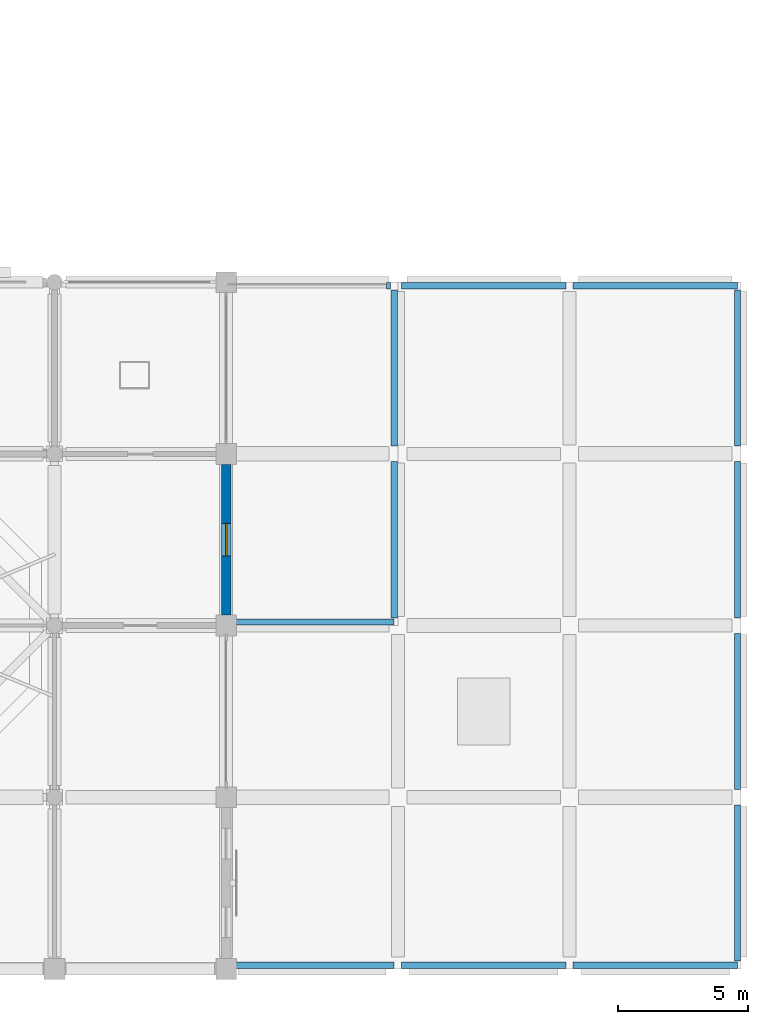
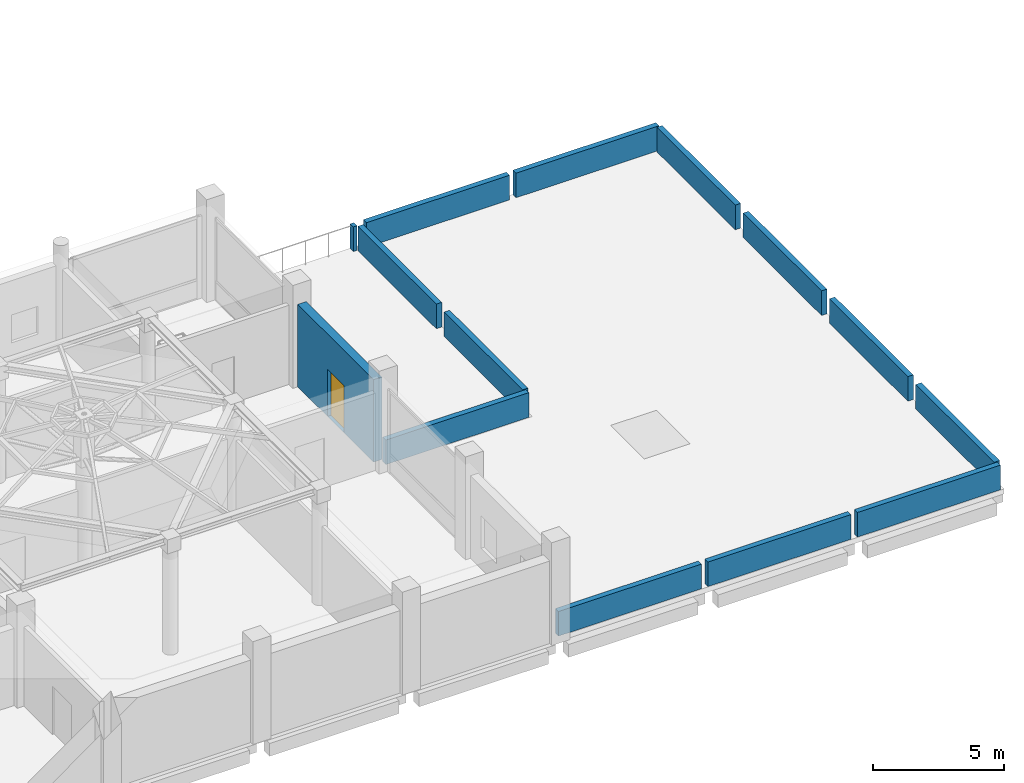
# One storey, part 22 of 34: 14 walls, 1 door, 1 opening.
"""IFC4 building model written with IfcOpenShell, lengths in metres."""

from ifc_helpers import new_model, si_unit, direction, frame, frame_2d, origin, place, context, subcontext, project, spatial, rectangle, extrude, material, layer, layer_set, type_object, element, fill, save


model = new_model("IFC4")

# Units and contexts
model_context = context("Model", 3, precision=1e-05, world=origin(), true_north=direction((0.0, 1.0)))
body_context = subcontext(model_context, "Body", "Model", "MODEL_VIEW")
ifc_project = project(units=[si_unit("LENGTHUNIT", "METRE"), si_unit("AREAUNIT", "SQUARE_METRE"), si_unit("VOLUMEUNIT", "CUBIC_METRE"), si_unit("PLANEANGLEUNIT", "RADIAN"), si_unit("MASSUNIT", "GRAM", prefix="KILO")], contexts=[model_context])

# Site, building, storey
site_placement = place(None, origin())
site = spatial("IfcSite", under=ifc_project, at=site_placement, CompositionType="ELEMENT")
building_placement = place(site_placement, origin())
building = spatial("IfcBuilding", under=site, at=building_placement, Name="Rusizi Kubbe Research Institute", CompositionType="ELEMENT")
storey_placement = place(building_placement, frame((0.0, 0.0, 5.39990234375)))
storey = spatial("IfcBuildingStorey", under=building, at=storey_placement, Name="L01", CompositionType="ELEMENT", Elevation=5.39990234375)

# Wall, opening, door
ifc_material_1 = material(Name="Volcanic Basalt Ashlar Masonry", Category="masonry")
ifc_layer_1 = layer(ifc_material_1, 0.3701171875)
ifc_layer_set_1 = layer_set([ifc_layer_1], Name="Volcanic Basalt Ashlar Masonry")
wall_type_1 = type_object("IfcWallType", Name="EW-05", PredefinedType="SOLIDWALL", material=ifc_layer_set_1)
wall_1_placement = place(storey_placement, frame((99.0, 13.60009765625, 0.0), z_axis=(0.0, 0.0, 1.0), x_axis=(0.0, 1.0, 0.0)))
wall_1 = element("IfcWall", 1, at=wall_1_placement, inside=storey, type_object=wall_type_1, Name="Terrace Access Wall L01 V15-2", PredefinedType="SOLIDWALL", context=body_context, shape_type="SweptSolid", body=[
    extrude(rectangle(XDim=5.7998046875, YDim=0.3701171875, at=frame_2d((2.89990234375, 0.0))), origin(), (0.0, 0.0, 1.0), 3.85009765625),
])
opening_placement = place(wall_1_placement, frame((2.27490234375, 0.0, 0.0)))
opening = element("IfcOpeningElement", 2, at=opening_placement, cuts=wall_1, Name="Opening D-37", PredefinedType="OPENING", context=body_context, shape_type="SweptSolid", body=[
    extrude(rectangle(XDim=1.25, YDim=2.199951171875, at=frame_2d((0.625, 1.10009765625))), frame((0.0, 0.195068359375, 0.0), z_axis=(0.0, -1.0, 0.0), x_axis=(1.0, 0.0, 0.0)), (0.0, 0.0, 1.0), 0.39013671875),
])
ifc_material_2 = material(Name="Insulated Steel and Laminated Safety Glass", Category="steel")
door_type = type_object("IfcDoorType", Name="ED-07", OperationType="NOTDEFINED", PredefinedType="DOOR", material=ifc_material_2)
door_placement = place(opening_placement, origin())
door = element("IfcDoor", 3, at=door_placement, inside=storey, type_object=door_type, Name="Roof Terrace Door L01-T02", OperationType="SINGLE_SWING_LEFT", OverallHeight=2.199951171875, OverallWidth=1.25, PredefinedType="DOOR", context=body_context, shape_type="SweptSolid", body=[
    extrude(rectangle(XDim=1.25, YDim=2.199951171875, at=frame_2d((0.625, 1.10009765625))), frame((0.0, 0.02490234375, 0.0), z_axis=(0.0, -1.0, 0.0), x_axis=(1.0, 0.0, 0.0)), (0.0, 0.0, 1.0), 0.050048828125),
])
fill(opening, door)

# Walls
ifc_material_3 = material(Name="Volcanic Basalt Ashlar Masonry", Category="masonry")
ifc_layer_2 = layer(ifc_material_3, 0.239990234375)
ifc_layer_set_2 = layer_set([ifc_layer_2], Name="Volcanic Basalt Ashlar Masonry")
wall_type_2 = type_object("IfcWallType", Name="PRP-01", PredefinedType="PARAPET", material=ifc_layer_set_2)
wall_2_placement = place(storey_placement, frame((99.139892578125, 13.340087890625, 0.0), z_axis=(0.0, 0.0, 1.0), x_axis=(1.0, 0.0, 0.0)))
element("IfcWall", 4, at=wall_2_placement, inside=storey, type_object=wall_type_2, Name="Terrace Divider Parapet Wall L01-006", PredefinedType="PARAPET", context=body_context, shape_type="SweptSolid", body=[
    extrude(rectangle(XDim=6.320068359375, YDim=0.239990234375, at=frame_2d((3.16015625, 0.0))), origin(), (0.0, 0.0, 1.0), 1.150146484375),
])
for number, where, z_axis, x_axis, name in (
    (5, (105.4599609375, 13.5, 0.0), (0.0, 0.0, 1.0), (0.0, 1.0, 0.0), "Terrace Divider Parapet Wall L01-007"),
    (6, (105.4599609375, 20.10009765625, 0.0), (0.0, 0.0, 1.0), (0.0, 1.0, 0.0), "Terrace Divider Parapet Wall L01-008"),
):
    element("IfcWall", number, at=place(storey_placement, frame(where, z_axis=z_axis, x_axis=x_axis)), inside=storey, type_object=wall_type_2, Name=name, PredefinedType="PARAPET", context=body_context, shape_type="SweptSolid", body=[
        extrude(rectangle(XDim=6.0, YDim=0.239990234375, at=frame_2d((3.0, 0.0))), origin(), (0.0, 0.0, 1.0), 1.150146484375),
    ])
wall_3_placement = place(storey_placement, frame((105.159912109375, 26.260009765625, 0.0), z_axis=(0.0, 0.0, 1.0), x_axis=(1.0, 0.0, 0.0)))
element("IfcWall", 7, at=wall_3_placement, inside=storey, type_object=wall_type_2, Name="Terrace Corner Parapet L01-009", PredefinedType="PARAPET", context=body_context, shape_type="SweptSolid", body=[
    extrude(rectangle(XDim=0.16015625, YDim=0.239990234375, at=frame_2d((0.080078125, 0.0))), origin(), (0.0, 0.0, 1.0), 1.150146484375),
])
for number, where, z_axis, x_axis, name in (
    (8, (99.139892578125, 0.139892578125, 0.0), (0.0, 0.0, 1.0), (1.0, 0.0, 0.0), "Roof Parapet Wall L01-021"),
    (9, (105.739990234375, 0.139892578125, 0.0), (0.0, 0.0, 1.0), (1.0, 0.0, 0.0), "Roof Parapet Wall L01-022"),
    (10, (105.739990234375, 26.260009765625, 0.0), (0.0, 0.0, 1.0), (1.0, 0.0, 0.0), "Roof Parapet Wall L01-023"),
):
    element("IfcWall", number, at=place(storey_placement, frame(where, z_axis=z_axis, x_axis=x_axis)), inside=storey, type_object=wall_type_2, Name=name, PredefinedType="PARAPET", context=body_context, shape_type="SweptSolid", body=[
        extrude(rectangle(XDim=6.320068359375, YDim=0.239990234375, at=frame_2d((3.16015625, 0.0))), origin(), (0.0, 0.0, 1.0), 1.150146484375),
    ])
wall_4_placement = place(storey_placement, frame((112.340087890625, 0.139892578125, 0.0), z_axis=(0.0, 0.0, 1.0), x_axis=(1.0, 0.0, 0.0)))
element("IfcWall", 11, at=wall_4_placement, inside=storey, type_object=wall_type_2, Name="Roof Parapet Wall L01-024", PredefinedType="PARAPET", context=body_context, shape_type="SweptSolid", body=[
    extrude(rectangle(XDim=6.31982421875, YDim=0.239990234375, at=frame_2d((3.159912109375, 0.0))), origin(), (0.0, 0.0, 1.0), 1.150146484375),
])
for number, where, z_axis, x_axis, name in (
    (12, (118.659912109375, 0.300048828125, 0.0), (0.0, 0.0, 1.0), (0.0, 1.0, 0.0), "Roof Parapet Wall L01-025"),
    (13, (118.659912109375, 6.89990234375, 0.0), (0.0, 0.0, 1.0), (0.0, 1.0, 0.0), "Roof Parapet Wall L01-026"),
    (14, (118.659912109375, 13.5, 0.0), (0.0, 0.0, 1.0), (0.0, 1.0, 0.0), "Roof Parapet Wall L01-027"),
):
    element("IfcWall", number, at=place(storey_placement, frame(where, z_axis=z_axis, x_axis=x_axis)), inside=storey, type_object=wall_type_2, Name=name, PredefinedType="PARAPET", context=body_context, shape_type="SweptSolid", body=[
        extrude(rectangle(XDim=6.0, YDim=0.239990234375, at=frame_2d((3.0, 0.0))), origin(), (0.0, 0.0, 1.0), 1.150146484375),
    ])
wall_5_placement = place(storey_placement, frame((112.340087890625, 26.260009765625, 0.0), z_axis=(0.0, 0.0, 1.0), x_axis=(1.0, 0.0, 0.0)))
element("IfcWall", 15, at=wall_5_placement, inside=storey, type_object=wall_type_2, Name="Roof Parapet Wall L01-028", PredefinedType="PARAPET", context=body_context, shape_type="SweptSolid", body=[
    extrude(rectangle(XDim=6.31982421875, YDim=0.239990234375, at=frame_2d((3.159912109375, 0.0))), origin(), (0.0, 0.0, 1.0), 1.150146484375),
])
wall_6_placement = place(storey_placement, frame((118.659912109375, 20.10009765625, 0.0), z_axis=(0.0, 0.0, 1.0), x_axis=(0.0, 1.0, 0.0)))
element("IfcWall", 16, at=wall_6_placement, inside=storey, type_object=wall_type_2, Name="Roof Parapet Wall L01-029", PredefinedType="PARAPET", context=body_context, shape_type="SweptSolid", body=[
    extrude(rectangle(XDim=6.0, YDim=0.239990234375, at=frame_2d((3.0, 0.0))), origin(), (0.0, 0.0, 1.0), 1.150146484375),
])

save(model, "model.ifc")
